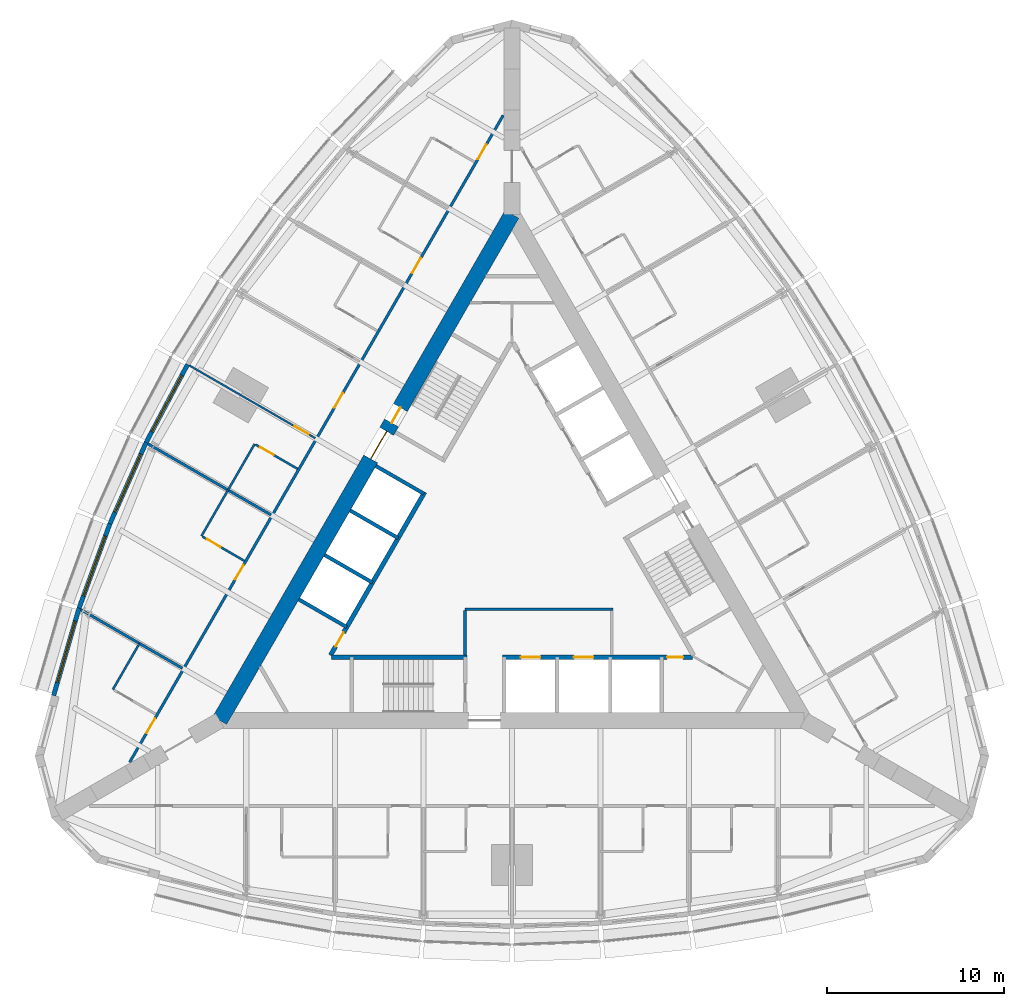
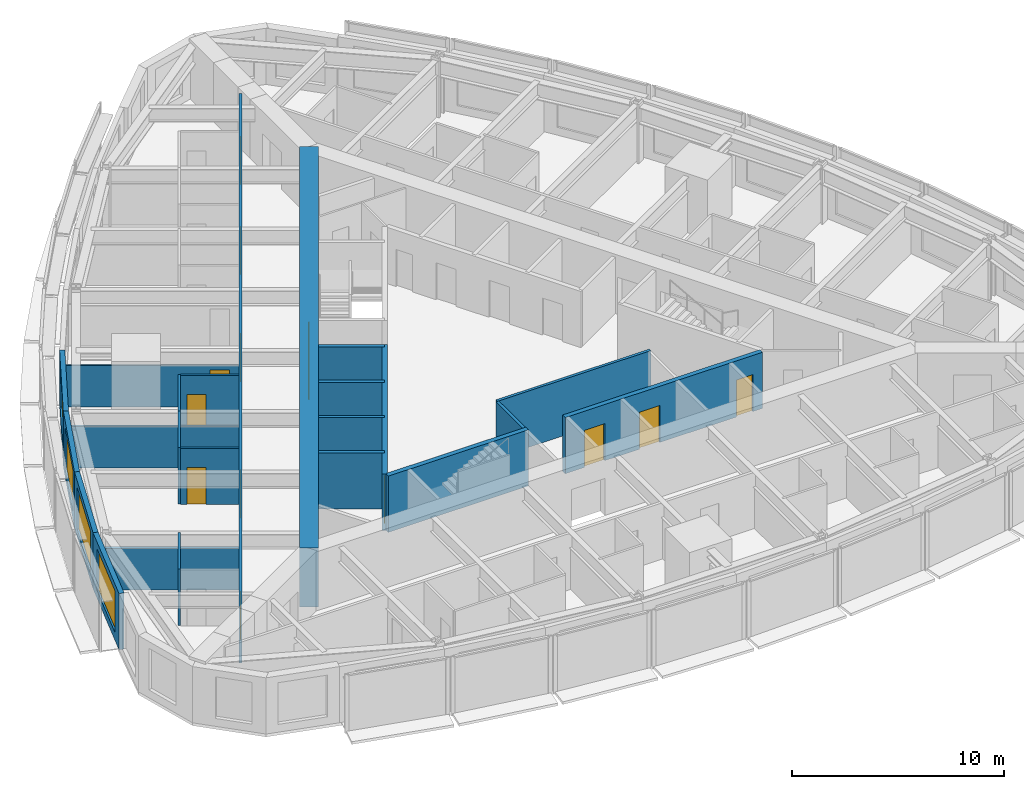
# One storey, part 9 of 14: 23 walls, 14 doors, 4 windows, 18 openings.
"""IFC4 building model written with IfcOpenShell, lengths in metres."""

from ifc_helpers import new_model, si_unit, direction, frame, frame_2d, origin, place, context, subcontext, project, spatial, rectangle, extrude, material, layer, layer_set, type_object, element, fill, save


model = new_model("IFC4")

# Units and contexts
model_context = context("Model", 3, precision=1e-05, world=origin(), true_north=direction((0.0, 1.0)))
body_context = subcontext(model_context, "Body", "Model", "MODEL_VIEW")
ifc_project = project(units=[si_unit("LENGTHUNIT", "METRE"), si_unit("AREAUNIT", "SQUARE_METRE"), si_unit("VOLUMEUNIT", "CUBIC_METRE"), si_unit("PLANEANGLEUNIT", "RADIAN"), si_unit("MASSUNIT", "GRAM", prefix="KILO")], contexts=[model_context])

# Site, building, storey
site_placement = place(None, origin())
site = spatial("IfcSite", under=ifc_project, at=site_placement, CompositionType="ELEMENT")
building_placement = place(site_placement, origin())
building = spatial("IfcBuilding", under=site, at=building_placement, Name="Trikona Tower", CompositionType="ELEMENT")
storey_placement = place(building_placement, frame((0.0, 0.0, 148.699951171875)))
storey = spatial("IfcBuildingStorey", under=building, at=storey_placement, Name="L39", CompositionType="ELEMENT", Elevation=148.699951171875)

# Wall
ifc_material_1 = material(Name="Metal stud and cement board", Category="gypsum")
ifc_layer_1 = layer(ifc_material_1, 0.1201171875)
ifc_layer_set_1 = layer_set([ifc_layer_1], Name="Bathroom wall 120")
wall_type_1 = type_object("IfcWallType", Name="Bathroom wall 120", PredefinedType="PLUMBINGWALL", material=ifc_layer_set_1)
wall_1_placement = place(storey_placement, frame((-14.53271484375, 6.0810546875, 0.0), z_axis=(0.0, 0.0, 1.0), x_axis=(-0.499990139034, -0.866031096941, 0.0)))
element("IfcWall", 1, at=wall_1_placement, inside=storey, type_object=wall_type_1, Name="Bathroom wall 3915.2", PredefinedType="PLUMBINGWALL", context=body_context, shape_type="SweptSolid", body=[
    extrude(rectangle(XDim=3.0, YDim=0.1201171875, at=frame_2d((1.5, 0.0))), origin(), (0.0, 0.0, 1.0), 3.235107421875),
])

# Wall, opening, door
wall_2_placement = place(storey_placement, frame((-12.10791015625, 4.68115234375, 0.0), z_axis=(0.0, 0.0, 1.0), x_axis=(-0.866035715982, 0.499982138324, 0.0)))
wall_2 = element("IfcWall", 2, at=wall_2_placement, inside=storey, type_object=wall_type_1, Name="Bathroom wall 3915.2", PredefinedType="PLUMBINGWALL", context=body_context, shape_type="SweptSolid", body=[
    extrude(rectangle(XDim=2.73974609375, YDim=0.1201171875, at=frame_2d((1.369873046875, 0.0))), origin(), (0.0, 0.0, 1.0), 3.235107421875),
])
opening_1_placement = place(wall_2_placement, frame((1.550048828125, 0.0, 0.0)))
opening_1 = element("IfcOpeningElement", 3, at=opening_1_placement, cuts=wall_2, Name="Opening D2", PredefinedType="OPENING", context=body_context, shape_type="SweptSolid", body=[
    extrude(rectangle(XDim=0.89990234375, YDim=2.1298828125, at=frame_2d((0.449951171875, 1.06494140625))), frame((0.0, 0.070068359375, 0.0), z_axis=(0.0, -1.0, 0.0), x_axis=(1.0, 0.0, 0.0)), (0.0, 0.0, 1.0), 0.14013671875),
])
ifc_material_2 = material(Name="Steel door frame with solid-core timber leaf", Category="steel")
door_type_1 = type_object("IfcDoorType", Name="Bathroom door 900x2130", OperationType="SLIDING_TO_LEFT", PredefinedType="DOOR", material=ifc_material_2)
door_1_placement = place(opening_1_placement, origin())
door_1 = element("IfcDoor", 4, at=door_1_placement, inside=storey, type_object=door_type_1, Name="Bathroom door 3915.2", OperationType="SLIDING_TO_LEFT", OverallHeight=2.1298828125, OverallWidth=0.89990234375, PredefinedType="DOOR", context=body_context, shape_type="SweptSolid", body=[
    extrude(rectangle(XDim=0.89990234375, YDim=2.1298828125, at=frame_2d((0.449951171875, 1.06494140625))), frame((0.0, 0.02490234375, 0.0), z_axis=(0.0, -1.0, 0.0), x_axis=(1.0, 0.0, 0.0)), (0.0, 0.0, 1.0), 0.050048828125),
])
fill(opening_1, door_1)

# Wall
wall_3_placement = place(storey_placement, frame((-16.03271484375, 3.48291015625, 0.0), z_axis=(0.0, 0.0, 1.0), x_axis=(-0.50002537861, -0.866010750942, 0.0)))
element("IfcWall", 5, at=wall_3_placement, inside=storey, type_object=wall_type_1, Name="Bathroom wall 3916", PredefinedType="PLUMBINGWALL", context=body_context, shape_type="SweptSolid", body=[
    extrude(rectangle(XDim=2.999755859375, YDim=0.1201171875, at=frame_2d((1.5, 0.0))), origin(), (0.0, 0.0, 1.0), 3.235107421875),
])

# Wall, opening, door
wall_4_placement = place(storey_placement, frame((-15.10791015625, -0.51513671875, 0.0), z_axis=(0.0, 0.0, 1.0), x_axis=(-0.865997131366, 0.500048966069, 0.0)))
wall_4 = element("IfcWall", 6, at=wall_4_placement, inside=storey, type_object=wall_type_1, Name="Bathroom wall 3916", PredefinedType="PLUMBINGWALL", context=body_context, shape_type="SweptSolid", body=[
    extrude(rectangle(XDim=2.739990234375, YDim=0.1201171875, at=frame_2d((1.3701171875, 0.0))), origin(), (0.0, 0.0, 1.0), 3.235107421875),
])
opening_2_placement = place(wall_4_placement, frame((1.550048828125, 0.0, 0.0)))
opening_2 = element("IfcOpeningElement", 7, at=opening_2_placement, cuts=wall_4, Name="Opening D2", PredefinedType="OPENING", context=body_context, shape_type="SweptSolid", body=[
    extrude(rectangle(XDim=0.89990234375, YDim=2.1298828125, at=frame_2d((0.449951171875, 1.06494140625))), frame((0.0, 0.070068359375, 0.0), z_axis=(0.0, -1.0, 0.0), x_axis=(1.0, 0.0, 0.0)), (0.0, 0.0, 1.0), 0.14013671875),
])
door_2_placement = place(opening_2_placement, origin())
door_2 = element("IfcDoor", 8, at=door_2_placement, inside=storey, type_object=door_type_1, Name="Bathroom door 3916", OperationType="SLIDING_TO_LEFT", OverallHeight=2.1298828125, OverallWidth=0.89990234375, PredefinedType="DOOR", context=body_context, shape_type="SweptSolid", body=[
    extrude(rectangle(XDim=0.89990234375, YDim=2.1298828125, at=frame_2d((0.449951171875, 1.06494140625))), frame((0.0, 0.02490234375, 0.0), z_axis=(0.0, -1.0, 0.0), x_axis=(1.0, 0.0, 0.0)), (0.0, 0.0, 1.0), 0.050048828125),
])
fill(opening_2, door_2)

# Wall
wall_5_placement = place(storey_placement, frame((-21.03271484375, -5.17724609375, 0.0), z_axis=(0.0, 0.0, 1.0), x_axis=(-0.499990139034, -0.866031096941, 0.0)))
element("IfcWall", 9, at=wall_5_placement, inside=storey, type_object=wall_type_1, Name="Bathroom wall 3917", PredefinedType="PLUMBINGWALL", context=body_context, shape_type="SweptSolid", body=[
    extrude(rectangle(XDim=3.0, YDim=0.1201171875, at=frame_2d((1.5, 0.0))), origin(), (0.0, 0.0, 1.0), 3.235107421875),
])

# Wall, openings, doors
ifc_material_3 = material(Name="Concrete f'c 10000 psi", Category="concrete")
ifc_layer_2 = layer(ifc_material_3, 0.89990234375)
ifc_layer_set_2 = layer_set([ifc_layer_2], Name="Core wall 900")
wall_type_2 = type_object("IfcWallType", Name="Core wall 900", PredefinedType="SHEAR", material=ifc_layer_set_2)
wall_6_placement = place(storey_placement, frame((0.0, 19.052490234375, 0.0), z_axis=(0.0, 0.0, 1.0), x_axis=(-0.499999749417, -0.866025548458, 0.0)))
wall_6 = element("IfcWall", 10, at=wall_6_placement, inside=storey, type_object=wall_type_2, Name="Core wall C", PredefinedType="SHEAR", context=body_context, shape_type="SweptSolid", body=[
    extrude(rectangle(XDim=33.0, YDim=0.89990234375, at=frame_2d((16.5, 0.0))), origin(), (0.0, 0.0, 1.0), 3.400146484375),
])
opening_3_placement = place(wall_6_placement, frame((14.14990234375, 0.0, 0.0)))
opening_3 = element("IfcOpeningElement", 11, at=opening_3_placement, cuts=wall_6, Name="Opening D6", PredefinedType="OPENING", context=body_context, shape_type="SweptSolid", body=[
    extrude(rectangle(XDim=1.800048828125, YDim=2.1298828125, at=frame_2d((0.89990234375, 1.06494140625))), frame((0.0, 0.4599609375, 0.0), z_axis=(0.0, -1.0, 0.0), x_axis=(1.0, 0.0, 0.0)), (0.0, 0.0, 1.0), 0.919921875),
])
opening_4_placement = place(wall_6_placement, frame((12.60009765625, 0.0, 0.0)))
opening_4 = element("IfcOpeningElement", 12, at=opening_4_placement, cuts=wall_6, Name="Opening D5", PredefinedType="OPENING", context=body_context, shape_type="SweptSolid", body=[
    extrude(rectangle(XDim=1.0, YDim=2.1298828125, at=frame_2d((0.5, 1.06494140625))), frame((0.0, 0.4599609375, 0.0), z_axis=(0.0, -1.0, 0.0), x_axis=(1.0, 0.0, 0.0)), (0.0, 0.0, 1.0), 0.919921875),
])
ifc_material_4 = material(Name="Hollow metal door and frame", Category="steel")
door_type_2 = type_object("IfcDoorType", Name="Lobby door pair 1800x2130", OperationType="DOUBLE_DOOR_SINGLE_SWING", PredefinedType="DOOR", material=ifc_material_4)
door_3_placement = place(opening_3_placement, origin())
door_3 = element("IfcDoor", 13, at=door_3_placement, inside=storey, type_object=door_type_2, Name="Lift lobby door C", OperationType="DOUBLE_DOOR_SINGLE_SWING", OverallHeight=2.1298828125, OverallWidth=1.800048828125, PredefinedType="DOOR", context=body_context, shape_type="SweptSolid", body=[
    extrude(rectangle(XDim=1.800048828125, YDim=2.1298828125, at=frame_2d((0.89990234375, 1.06494140625))), frame((0.0, 0.02490234375, 0.0), z_axis=(0.0, -1.0, 0.0), x_axis=(1.0, 0.0, 0.0)), (0.0, 0.0, 1.0), 0.050048828125),
])
fill(opening_3, door_3)
ifc_material_5 = material(Name="Hollow metal door and frame", Category="steel")
door_type_3 = type_object("IfcDoorType", Name="Stair door 1000x2130", OperationType="SINGLE_SWING_LEFT", PredefinedType="DOOR", material=ifc_material_5)
door_4_placement = place(opening_4_placement, origin())
door_4 = element("IfcDoor", 14, at=door_4_placement, inside=storey, type_object=door_type_3, Name="Stair C door", OperationType="SINGLE_SWING_RIGHT", OverallHeight=2.1298828125, OverallWidth=1.0, PredefinedType="DOOR", context=body_context, shape_type="SweptSolid", body=[
    extrude(rectangle(XDim=1.0, YDim=2.1298828125, at=frame_2d((0.5, 1.06494140625))), frame((0.0, 0.02490234375, 0.0), z_axis=(0.0, -1.0, 0.0), x_axis=(1.0, 0.0, 0.0)), (0.0, 0.0, 1.0), 0.050048828125),
])
fill(opening_4, door_4)

ifc_material_6 = material(Name="Metal stud and gypsum board, 1-hour", Category="gypsum")
ifc_layer_3 = layer(ifc_material_6, 0.14990234375)
ifc_layer_set_3 = layer_set([ifc_layer_3], Name="Corridor wall 150")
wall_type_3 = type_object("IfcWallType", Name="Corridor wall 150", PredefinedType="PARTITIONING", material=ifc_layer_set_3)
wall_7_placement = place(storey_placement, frame((-0.5, 24.636474609375, 0.0), z_axis=(0.0, 0.0, 1.0), x_axis=(-0.500001915564, -0.86602429783, 0.0)))
wall_7 = element("IfcWall", 15, at=wall_7_placement, inside=storey, type_object=wall_type_3, Name="Corridor wall L39-3", PredefinedType="PARTITIONING", context=body_context, shape_type="SweptSolid", body=[
    extrude(rectangle(XDim=42.171630859375, YDim=0.14990234375, at=frame_2d((21.0859375, 0.0))), origin(), (0.0, 0.0, 1.0), 3.235107421875),
])
opening_5_placement = place(wall_7_placement, frame((1.910888671875, 0.0, 0.0)))
opening_5 = element("IfcOpeningElement", 16, at=opening_5_placement, cuts=wall_7, Name="Opening D1", PredefinedType="OPENING", context=body_context, shape_type="SweptSolid", body=[
    extrude(rectangle(XDim=0.949951171875, YDim=2.1298828125, at=frame_2d((0.47509765625, 1.06494140625))), frame((0.0, 0.0849609375, 0.0), z_axis=(0.0, -1.0, 0.0), x_axis=(1.0, 0.0, 0.0)), (0.0, 0.0, 1.0), 0.169921875),
])
opening_6_placement = place(wall_7_placement, frame((9.310791015625, 0.0, 0.0)))
opening_6 = element("IfcOpeningElement", 17, at=opening_6_placement, cuts=wall_7, Name="Opening D1", PredefinedType="OPENING", context=body_context, shape_type="SweptSolid", body=[
    extrude(rectangle(XDim=0.949951171875, YDim=2.1298828125, at=frame_2d((0.47509765625, 1.06494140625))), frame((0.0, 0.0849609375, 0.0), z_axis=(0.0, -1.0, 0.0), x_axis=(1.0, 0.0, 0.0)), (0.0, 0.0, 1.0), 0.169921875),
])
opening_7_placement = place(wall_7_placement, frame((18.11083984375, 0.0, 0.0)))
opening_7 = element("IfcOpeningElement", 18, at=opening_7_placement, cuts=wall_7, Name="Opening D1", PredefinedType="OPENING", context=body_context, shape_type="SweptSolid", body=[
    extrude(rectangle(XDim=0.949951171875, YDim=2.1298828125, at=frame_2d((0.47509765625, 1.06494140625))), frame((0.0, 0.0849609375, 0.0), z_axis=(0.0, -1.0, 0.0), x_axis=(1.0, 0.0, 0.0)), (0.0, 0.0, 1.0), 0.169921875),
])
opening_8_placement = place(wall_7_placement, frame((29.310791015625, 0.0, 0.0)))
opening_8 = element("IfcOpeningElement", 19, at=opening_8_placement, cuts=wall_7, Name="Opening D1", PredefinedType="OPENING", context=body_context, shape_type="SweptSolid", body=[
    extrude(rectangle(XDim=0.949951171875, YDim=2.1298828125, at=frame_2d((0.47509765625, 1.06494140625))), frame((0.0, 0.0849609375, 0.0), z_axis=(0.0, -1.0, 0.0), x_axis=(1.0, 0.0, 0.0)), (0.0, 0.0, 1.0), 0.169921875),
])
opening_9_placement = place(wall_7_placement, frame((39.310791015625, 0.0, 0.0)))
opening_9 = element("IfcOpeningElement", 20, at=opening_9_placement, cuts=wall_7, Name="Opening D1", PredefinedType="OPENING", context=body_context, shape_type="SweptSolid", body=[
    extrude(rectangle(XDim=0.949951171875, YDim=2.1298828125, at=frame_2d((0.47509765625, 1.06494140625))), frame((0.0, 0.0849609375, 0.0), z_axis=(0.0, -1.0, 0.0), x_axis=(1.0, 0.0, 0.0)), (0.0, 0.0, 1.0), 0.169921875),
])
ifc_material_7 = material(Name="Steel door frame with solid-core timber leaf", Category="steel")
door_type_4 = type_object("IfcDoorType", Name="Guest room door 950x2130", OperationType="SINGLE_SWING_LEFT", PredefinedType="DOOR", material=ifc_material_7)
door_5_placement = place(opening_5_placement, origin())
door_5 = element("IfcDoor", 21, at=door_5_placement, inside=storey, type_object=door_type_4, Name="Room door 3913", OperationType="SINGLE_SWING_LEFT", OverallHeight=2.1298828125, OverallWidth=0.949951171875, PredefinedType="DOOR", context=body_context, shape_type="SweptSolid", body=[
    extrude(rectangle(XDim=0.949951171875, YDim=2.1298828125, at=frame_2d((0.47509765625, 1.06494140625))), frame((0.0, 0.02490234375, 0.0), z_axis=(0.0, -1.0, 0.0), x_axis=(1.0, 0.0, 0.0)), (0.0, 0.0, 1.0), 0.050048828125),
])
fill(opening_5, door_5)
door_6_placement = place(opening_6_placement, origin())
door_6 = element("IfcDoor", 22, at=door_6_placement, inside=storey, type_object=door_type_4, Name="Room door 3914", OperationType="SINGLE_SWING_RIGHT", OverallHeight=2.1298828125, OverallWidth=0.949951171875, PredefinedType="DOOR", context=body_context, shape_type="SweptSolid", body=[
    extrude(rectangle(XDim=0.949951171875, YDim=2.1298828125, at=frame_2d((0.47509765625, 1.06494140625))), frame((0.0, 0.02490234375, 0.0), z_axis=(0.0, -1.0, 0.0), x_axis=(1.0, 0.0, 0.0)), (0.0, 0.0, 1.0), 0.050048828125),
])
fill(opening_6, door_6)
door_7_placement = place(opening_7_placement, origin())
door_7 = element("IfcDoor", 23, at=door_7_placement, inside=storey, type_object=door_type_4, Name="Room door 3915", OperationType="SINGLE_SWING_LEFT", OverallHeight=2.1298828125, OverallWidth=0.949951171875, PredefinedType="DOOR", context=body_context, shape_type="SweptSolid", body=[
    extrude(rectangle(XDim=0.949951171875, YDim=2.1298828125, at=frame_2d((0.47509765625, 1.06494140625))), frame((0.0, 0.02490234375, 0.0), z_axis=(0.0, -1.0, 0.0), x_axis=(1.0, 0.0, 0.0)), (0.0, 0.0, 1.0), 0.050048828125),
])
fill(opening_7, door_7)
door_8_placement = place(opening_8_placement, origin())
door_8 = element("IfcDoor", 24, at=door_8_placement, inside=storey, type_object=door_type_4, Name="Room door 3916", OperationType="SINGLE_SWING_RIGHT", OverallHeight=2.1298828125, OverallWidth=0.949951171875, PredefinedType="DOOR", context=body_context, shape_type="SweptSolid", body=[
    extrude(rectangle(XDim=0.949951171875, YDim=2.1298828125, at=frame_2d((0.47509765625, 1.06494140625))), frame((0.0, 0.02490234375, 0.0), z_axis=(0.0, -1.0, 0.0), x_axis=(1.0, 0.0, 0.0)), (0.0, 0.0, 1.0), 0.050048828125),
])
fill(opening_8, door_8)
door_9_placement = place(opening_9_placement, origin())
door_9 = element("IfcDoor", 25, at=door_9_placement, inside=storey, type_object=door_type_4, Name="Room door 3917", OperationType="SINGLE_SWING_RIGHT", OverallHeight=2.1298828125, OverallWidth=0.949951171875, PredefinedType="DOOR", context=body_context, shape_type="SweptSolid", body=[
    extrude(rectangle(XDim=0.949951171875, YDim=2.1298828125, at=frame_2d((0.47509765625, 1.06494140625))), frame((0.0, 0.02490234375, 0.0), z_axis=(0.0, -1.0, 0.0), x_axis=(1.0, 0.0, 0.0)), (0.0, 0.0, 1.0), 0.050048828125),
])
fill(opening_9, door_9)

# Wall
ifc_material_8 = material(Name="Concrete f'c 8000 psi", Category="concrete")
ifc_layer_4 = layer(ifc_material_8, 0.25)
ifc_layer_set_4 = layer_set([ifc_layer_4], Name="Hub wall 250")
wall_type_4 = type_object("IfcWallType", Name="Hub wall 250", PredefinedType="SOLIDWALL", material=ifc_layer_set_4)
wall_8_placement = place(storey_placement, frame((-10.182861328125, -5.951416015625, 0.0), z_axis=(0.0, 0.0, 1.0), x_axis=(1.0, 0.0, 0.0)))
element("IfcWall", 26, at=wall_8_placement, inside=storey, type_object=wall_type_4, Name="Lift lobby wall A1", PredefinedType="SOLIDWALL", context=body_context, shape_type="SweptSolid", body=[
    extrude(rectangle(XDim=7.6328125, YDim=0.25, at=frame_2d((3.81640625, 0.0))), origin(), (0.0, 0.0, 1.0), 3.235107421875),
])

# Wall, openings, doors
wall_9_placement = place(storey_placement, frame((-0.550048828125, -5.951416015625, 0.0), z_axis=(0.0, 0.0, 1.0), x_axis=(1.0, 0.0, 0.0)))
wall_9 = element("IfcWall", 27, at=wall_9_placement, inside=storey, type_object=wall_type_4, Name="Lift lobby wall A2", PredefinedType="SOLIDWALL", context=body_context, shape_type="SweptSolid", body=[
    extrude(rectangle(XDim=10.73291015625, YDim=0.25, at=frame_2d((5.366455078125, 0.0))), origin(), (0.0, 0.0, 1.0), 3.235107421875),
])
opening_10_placement = place(wall_9_placement, frame((9.31396484375, 0.0, 0.0)))
opening_10 = element("IfcOpeningElement", 28, at=opening_10_placement, cuts=wall_9, Name="Opening D14", PredefinedType="OPENING", context=body_context, shape_type="SweptSolid", body=[
    extrude(rectangle(XDim=0.89990234375, YDim=2.1298828125, at=frame_2d((0.449951171875, 1.06494140625))), frame((0.0, 0.135009765625, 0.0), z_axis=(0.0, -1.0, 0.0), x_axis=(1.0, 0.0, 0.0)), (0.0, 0.0, 1.0), 0.27001953125),
])
opening_11_placement = place(wall_9_placement, frame((1.050048828125, 0.0, 0.0)))
opening_11 = element("IfcOpeningElement", 29, at=opening_11_placement, cuts=wall_9, Name="Opening LD", PredefinedType="OPENING", context=body_context, shape_type="SweptSolid", body=[
    extrude(rectangle(XDim=1.10009765625, YDim=2.1298828125, at=frame_2d((0.550048828125, 1.06494140625))), frame((0.0, 0.135009765625, 0.0), z_axis=(0.0, -1.0, 0.0), x_axis=(1.0, 0.0, 0.0)), (0.0, 0.0, 1.0), 0.27001953125),
])
opening_12_placement = place(wall_9_placement, frame((4.050048828125, 0.0, 0.0)))
opening_12 = element("IfcOpeningElement", 30, at=opening_12_placement, cuts=wall_9, Name="Opening LD", PredefinedType="OPENING", context=body_context, shape_type="SweptSolid", body=[
    extrude(rectangle(XDim=1.10009765625, YDim=2.1298828125, at=frame_2d((0.550048828125, 1.06494140625))), frame((0.0, 0.135009765625, 0.0), z_axis=(0.0, -1.0, 0.0), x_axis=(1.0, 0.0, 0.0)), (0.0, 0.0, 1.0), 0.27001953125),
])
ifc_material_9 = material(Name="Stainless steel lift landing door", Category="steel")
door_type_5 = type_object("IfcDoorType", Name="Lift landing door 1100x2130", OperationType="DOUBLE_DOOR_SLIDING", PredefinedType="USERDEFINED", material=ifc_material_9)
door_10_placement = place(opening_11_placement, origin())
door_10 = element("IfcDoor", 31, at=door_10_placement, inside=storey, type_object=door_type_5, Name="Lift landing door FF1", ObjectType="LIFT LANDING DOOR", OperationType="DOUBLE_DOOR_SLIDING", OverallHeight=2.1298828125, OverallWidth=1.10009765625, PredefinedType="USERDEFINED", context=body_context, shape_type="SweptSolid", body=[
    extrude(rectangle(XDim=1.10009765625, YDim=2.1298828125, at=frame_2d((0.550048828125, 1.06494140625))), frame((0.0, 0.02490234375, 0.0), z_axis=(0.0, -1.0, 0.0), x_axis=(1.0, 0.0, 0.0)), (0.0, 0.0, 1.0), 0.050048828125),
])
fill(opening_11, door_10)
door_11_placement = place(opening_12_placement, origin())
door_11 = element("IfcDoor", 32, at=door_11_placement, inside=storey, type_object=door_type_5, Name="Lift landing door FF2", ObjectType="LIFT LANDING DOOR", OperationType="DOUBLE_DOOR_SLIDING", OverallHeight=2.1298828125, OverallWidth=1.10009765625, PredefinedType="USERDEFINED", context=body_context, shape_type="SweptSolid", body=[
    extrude(rectangle(XDim=1.10009765625, YDim=2.1298828125, at=frame_2d((0.550048828125, 1.06494140625))), frame((0.0, 0.02490234375, 0.0), z_axis=(0.0, -1.0, 0.0), x_axis=(1.0, 0.0, 0.0)), (0.0, 0.0, 1.0), 0.050048828125),
])
fill(opening_12, door_11)
ifc_material_10 = material(Name="Hollow metal door and frame", Category="steel")
door_type_6 = type_object("IfcDoorType", Name="Service room door 900x2130", OperationType="SINGLE_SWING_LEFT", PredefinedType="DOOR", material=ifc_material_10)
door_12_placement = place(opening_10_placement, origin())
door_12 = element("IfcDoor", 33, at=door_12_placement, inside=storey, type_object=door_type_6, Name="Door Housekeeping store HKS", OperationType="SINGLE_SWING_RIGHT", OverallHeight=2.1298828125, OverallWidth=0.89990234375, PredefinedType="DOOR", context=body_context, shape_type="SweptSolid", body=[
    extrude(rectangle(XDim=0.89990234375, YDim=2.1298828125, at=frame_2d((0.449951171875, 1.06494140625))), frame((0.0, 0.02490234375, 0.0), z_axis=(0.0, -1.0, 0.0), x_axis=(1.0, 0.0, 0.0)), (0.0, 0.0, 1.0), 0.050048828125),
])
fill(opening_10, door_12)

# Wall, opening, door
wall_10_placement = place(storey_placement, frame((-4.928955078125, 3.365478515625, 0.0), z_axis=(0.0, 0.0, 1.0), x_axis=(-0.499991433582, -0.866030349552, 0.0)))
wall_10 = element("IfcWall", 34, at=wall_10_placement, inside=storey, type_object=wall_type_4, Name="Lift lobby wall C2", PredefinedType="SOLIDWALL", context=body_context, shape_type="SweptSolid", body=[
    extrude(rectangle(XDim=10.633056640625, YDim=0.25, at=frame_2d((5.31640625, 0.0))), origin(), (0.0, 0.0, 1.0), 3.235107421875),
])
opening_13_placement = place(wall_10_placement, frame((9.1640625, 0.0, 0.0)))
opening_13 = element("IfcOpeningElement", 35, at=opening_13_placement, cuts=wall_10, Name="Opening D14", PredefinedType="OPENING", context=body_context, shape_type="SweptSolid", body=[
    extrude(rectangle(XDim=0.89990234375, YDim=2.1298828125, at=frame_2d((0.449951171875, 1.06494140625))), frame((0.0, 0.135009765625, 0.0), z_axis=(0.0, -1.0, 0.0), x_axis=(1.0, 0.0, 0.0)), (0.0, 0.0, 1.0), 0.27001953125),
])
door_13_placement = place(opening_13_placement, origin())
door_13 = element("IfcDoor", 36, at=door_13_placement, inside=storey, type_object=door_type_6, Name="Door Ice and vending ICE", OperationType="SINGLE_SWING_RIGHT", OverallHeight=2.1298828125, OverallWidth=0.89990234375, PredefinedType="DOOR", context=body_context, shape_type="SweptSolid", body=[
    extrude(rectangle(XDim=0.89990234375, YDim=2.1298828125, at=frame_2d((0.449951171875, 1.06494140625))), frame((0.0, 0.02490234375, 0.0), z_axis=(0.0, -1.0, 0.0), x_axis=(1.0, 0.0, 0.0)), (0.0, 0.0, 1.0), 0.050048828125),
])
fill(opening_13, door_13)

# Wall, opening, window
ifc_material_11 = material(Name="Insulated precast concrete spandrel panel", Category="concrete")
ifc_layer_5 = layer(ifc_material_11, 0.25)
ifc_layer_set_5 = layer_set([ifc_layer_5], Name="Inner skin wall 250")
wall_type_5 = type_object("IfcWallType", Name="Inner skin wall 250", PredefinedType="STANDARD", material=ifc_layer_set_5)
wall_11_placement = place(storey_placement, frame((-18.314453125, 10.578857421875, 0.0), z_axis=(0.0, 0.0, 1.0), x_axis=(-0.469404966864, -0.882982999317, 0.0)))
wall_11 = element("IfcWall", 37, at=wall_11_placement, inside=storey, type_object=wall_type_5, Name="External wall L39-28", PredefinedType="STANDARD", context=body_context, shape_type="SweptSolid", body=[
    extrude(rectangle(XDim=5.0029296875, YDim=0.25, at=frame_2d((2.50146484375, 0.0))), origin(), (0.0, 0.0, 1.0), 3.235107421875),
])
opening_14_placement = place(wall_11_placement, frame((0.701416015625, 0.0, 0.449951171875)))
opening_14 = element("IfcOpeningElement", 38, at=opening_14_placement, cuts=wall_11, Name="Opening W3624", PredefinedType="OPENING", context=body_context, shape_type="SweptSolid", body=[
    extrude(rectangle(XDim=3.60009765625, YDim=2.39990234375, at=frame_2d((1.800048828125, 1.199951171875))), frame((0.0, 0.135009765625, 0.0), z_axis=(0.0, -1.0, 0.0), x_axis=(1.0, 0.0, 0.0)), (0.0, 0.0, 1.0), 0.27001953125),
])
ifc_material_12 = material(Name="Aluminium-framed double glazing", Category="aluminium")
window_type = type_object("IfcWindowType", Name="Window 3600x2400", PartitioningType="SINGLE_PANEL", PredefinedType="WINDOW", material=ifc_material_12)
window_1_placement = place(opening_14_placement, origin())
window_1 = element("IfcWindow", 39, at=window_1_placement, inside=storey, type_object=window_type, Name="Window 3915.2", OverallHeight=2.39990234375, OverallWidth=3.60009765625, PartitioningType="SINGLE_PANEL", PredefinedType="WINDOW", context=body_context, shape_type="SweptSolid", body=[
    extrude(rectangle(XDim=3.60009765625, YDim=2.39990234375, at=frame_2d((1.800048828125, 1.199951171875))), frame((0.0, 0.030029296875, 0.0), z_axis=(0.0, -1.0, 0.0), x_axis=(1.0, 0.0, 0.0)), (0.0, 0.0, 1.0), 0.06005859375),
])
fill(opening_14, window_1)

wall_12_placement = place(storey_placement, frame((-20.6591796875, 6.169189453125, 0.0), z_axis=(0.0, 0.0, 1.0), x_axis=(-0.406832200364, -0.913502906808, 0.0)))
wall_12 = element("IfcWall", 40, at=wall_12_placement, inside=storey, type_object=wall_type_5, Name="External wall L39-29", PredefinedType="STANDARD", context=body_context, shape_type="SweptSolid", body=[
    extrude(rectangle(XDim=5.027587890625, YDim=0.25, at=frame_2d((2.513671875, 0.0))), origin(), (0.0, 0.0, 1.0), 3.235107421875),
])
opening_15_placement = place(wall_12_placement, frame((0.713623046875, 0.0, 0.449951171875)))
opening_15 = element("IfcOpeningElement", 41, at=opening_15_placement, cuts=wall_12, Name="Opening W3624", PredefinedType="OPENING", context=body_context, shape_type="SweptSolid", body=[
    extrude(rectangle(XDim=3.60009765625, YDim=2.39990234375, at=frame_2d((1.800048828125, 1.199951171875))), frame((0.0, 0.135009765625, 0.0), z_axis=(0.0, -1.0, 0.0), x_axis=(1.0, 0.0, 0.0)), (0.0, 0.0, 1.0), 0.27001953125),
])
window_2_placement = place(opening_15_placement, origin())
window_2 = element("IfcWindow", 42, at=window_2_placement, inside=storey, type_object=window_type, Name="Window 3916", OverallHeight=2.39990234375, OverallWidth=3.60009765625, PartitioningType="SINGLE_PANEL", PredefinedType="WINDOW", context=body_context, shape_type="SweptSolid", body=[
    extrude(rectangle(XDim=3.60009765625, YDim=2.39990234375, at=frame_2d((1.800048828125, 1.199951171875))), frame((0.0, 0.030029296875, 0.0), z_axis=(0.0, -1.0, 0.0), x_axis=(1.0, 0.0, 0.0)), (0.0, 0.0, 1.0), 0.06005859375),
])
fill(opening_15, window_2)

wall_13_placement = place(storey_placement, frame((-22.701416015625, 1.58447265625, 0.0), z_axis=(0.0, 0.0, 1.0), x_axis=(-0.343225593282, -0.939252996863, 0.0)))
wall_13 = element("IfcWall", 43, at=wall_13_placement, inside=storey, type_object=wall_type_5, Name="External wall L39-30", PredefinedType="STANDARD", context=body_context, shape_type="SweptSolid", body=[
    extrude(rectangle(XDim=5.075927734375, YDim=0.25, at=frame_2d((2.5380859375, 0.0))), origin(), (0.0, 0.0, 1.0), 3.235107421875),
])
opening_16_placement = place(wall_13_placement, frame((0.738037109375, 0.0, 0.449951171875)))
opening_16 = element("IfcOpeningElement", 44, at=opening_16_placement, cuts=wall_13, Name="Opening W3624", PredefinedType="OPENING", context=body_context, shape_type="SweptSolid", body=[
    extrude(rectangle(XDim=3.60009765625, YDim=2.39990234375, at=frame_2d((1.800048828125, 1.199951171875))), frame((0.0, 0.135009765625, 0.0), z_axis=(0.0, -1.0, 0.0), x_axis=(1.0, 0.0, 0.0)), (0.0, 0.0, 1.0), 0.27001953125),
])
window_3_placement = place(opening_16_placement, origin())
window_3 = element("IfcWindow", 45, at=window_3_placement, inside=storey, type_object=window_type, Name="Window 3916", OverallHeight=2.39990234375, OverallWidth=3.60009765625, PartitioningType="SINGLE_PANEL", PredefinedType="WINDOW", context=body_context, shape_type="SweptSolid", body=[
    extrude(rectangle(XDim=3.60009765625, YDim=2.39990234375, at=frame_2d((1.800048828125, 1.199951171875))), frame((0.0, 0.030029296875, 0.0), z_axis=(0.0, -1.0, 0.0), x_axis=(1.0, 0.0, 0.0)), (0.0, 0.0, 1.0), 0.06005859375),
])
fill(opening_16, window_3)

wall_14_placement = place(storey_placement, frame((-24.44091796875, -3.17529296875, 0.0), z_axis=(0.0, 0.0, 1.0), x_axis=(-0.279528287117, -0.960137457191, 0.0)))
wall_14 = element("IfcWall", 46, at=wall_14_placement, inside=storey, type_object=wall_type_5, Name="External wall L39-31", PredefinedType="STANDARD", context=body_context, shape_type="SweptSolid", body=[
    extrude(rectangle(XDim=5.14794921875, YDim=0.25, at=frame_2d((2.573974609375, 0.0))), origin(), (0.0, 0.0, 1.0), 3.235107421875),
])
opening_17_placement = place(wall_14_placement, frame((0.77392578125, 0.0, 0.449951171875)))
opening_17 = element("IfcOpeningElement", 47, at=opening_17_placement, cuts=wall_14, Name="Opening W3624", PredefinedType="OPENING", context=body_context, shape_type="SweptSolid", body=[
    extrude(rectangle(XDim=3.60009765625, YDim=2.39990234375, at=frame_2d((1.800048828125, 1.199951171875))), frame((0.0, 0.135009765625, 0.0), z_axis=(0.0, -1.0, 0.0), x_axis=(1.0, 0.0, 0.0)), (0.0, 0.0, 1.0), 0.27001953125),
])
window_4_placement = place(opening_17_placement, origin())
window_4 = element("IfcWindow", 48, at=window_4_placement, inside=storey, type_object=window_type, Name="Window 3917", OverallHeight=2.39990234375, OverallWidth=3.60009765625, PartitioningType="SINGLE_PANEL", PredefinedType="WINDOW", context=body_context, shape_type="SweptSolid", body=[
    extrude(rectangle(XDim=3.60009765625, YDim=2.39990234375, at=frame_2d((1.800048828125, 1.199951171875))), frame((0.0, 0.030029296875, 0.0), z_axis=(0.0, -1.0, 0.0), x_axis=(1.0, 0.0, 0.0)), (0.0, 0.0, 1.0), 0.06005859375),
])
fill(opening_17, window_4)

# Walls
ifc_material_13 = material(Name="Metal stud and gypsum board, 2-hour shaft wall", Category="gypsum")
ifc_layer_6 = layer(ifc_material_13, 0.14990234375)
ifc_layer_set_6 = layer_set([ifc_layer_6], Name="Lobby wall 150")
wall_type_6 = type_object("IfcWallType", Name="Lobby wall 150", PredefinedType="PARTITIONING", material=ifc_layer_set_6)
wall_15_placement = place(storey_placement, frame((-2.64990234375, -3.251220703125, 0.0), z_axis=(0.0, 0.0, 1.0), x_axis=(1.0, 0.0, 0.0)))
element("IfcWall", 49, at=wall_15_placement, inside=storey, type_object=wall_type_6, Name="Fire service lift lobby wall 1", PredefinedType="PARTITIONING", context=body_context, shape_type="SweptSolid", body=[
    extrude(rectangle(XDim=8.349853515625, YDim=0.14990234375, at=frame_2d((4.1748046875, 0.0))), origin(), (0.0, 0.0, 1.0), 3.235107421875),
])
wall_16_placement = place(storey_placement, frame((-2.64990234375, -5.826416015625, 0.0), z_axis=(0.0, 0.0, 1.0), x_axis=(0.0, 1.0, 0.0)))
element("IfcWall", 50, at=wall_16_placement, inside=storey, type_object=wall_type_6, Name="Fire service lift lobby wall 2", PredefinedType="PARTITIONING", context=body_context, shape_type="SweptSolid", body=[
    extrude(rectangle(XDim=2.5, YDim=0.14990234375, at=frame_2d((1.25, 0.0))), origin(), (0.0, 0.0, 1.0), 3.235107421875),
])
ifc_material_14 = material(Name="Metal stud and gypsum board, 1-hour acoustic", Category="gypsum")
ifc_layer_7 = layer(ifc_material_14, 0.14990234375)
ifc_layer_set_7 = layer_set([ifc_layer_7], Name="Party wall 150")
wall_type_7 = type_object("IfcWallType", Name="Party wall 150", PredefinedType="PARTITIONING", material=ifc_layer_set_7)
wall_17_placement = place(storey_placement, frame((-13.60791015625, 2.0830078125, 0.0), z_axis=(0.0, 0.0, 1.0), x_axis=(-0.866028486751, 0.499994660107, 0.0)))
element("IfcWall", 51, at=wall_17_placement, inside=storey, type_object=wall_type_7, Name="Partition L39 F3 u5", PredefinedType="PARTITIONING", context=body_context, shape_type="SweptSolid", body=[
    extrude(rectangle(XDim=8.0224609375, YDim=0.14990234375, at=frame_2d((4.01123046875, 0.0))), origin(), (0.0, 0.0, 1.0), 2.38916015625),
])
wall_18_placement = place(storey_placement, frame((-18.60791015625, -6.5771484375, 0.0), z_axis=(0.0, 0.0, 1.0), x_axis=(-0.866031967744, 0.499988630717, 0.0)))
element("IfcWall", 52, at=wall_18_placement, inside=storey, type_object=wall_type_7, Name="Partition L39 F3 u15", PredefinedType="PARTITIONING", context=body_context, shape_type="SweptSolid", body=[
    extrude(rectangle(XDim=6.616455078125, YDim=0.14990234375, at=frame_2d((3.30810546875, 0.0))), origin(), (0.0, 0.0, 1.0), 2.38916015625),
])
ifc_material_15 = material(Name="Concrete f'c 8000 psi", Category="concrete")
ifc_layer_8 = layer(ifc_material_15, 0.199951171875)
ifc_layer_set_8 = layer_set([ifc_layer_8], Name="Shaft wall 200")
wall_type_8 = type_object("IfcWallType", Name="Shaft wall 200", PredefinedType="SOLIDWALL", material=ifc_layer_set_8)
for number, where, z_axis, x_axis, name in (
    (53, (-4.97900390625, 3.27880859375, 0.0), (0.0, 0.0, 1.0), (-0.866022959057, 0.500004234368, 0.0), "Shaft wall C3"),
    (54, (-6.428955078125, 0.767333984375, 0.0), (0.0, 0.0, 1.0), (-0.866022959057, 0.500004234368, 0.0), "Shaft wall C4"),
    (55, (-7.87890625, -1.744140625, 0.0), (0.0, 0.0, 1.0), (-0.866022959057, 0.500004234368, 0.0), "Shaft wall C5"),
    (56, (-9.3291015625, -4.255615234375, 0.0), (0.0, 0.0, 1.0), (-0.866022959057, 0.500004234368, 0.0), "Shaft wall C6"),
):
    element("IfcWall", number, at=place(storey_placement, frame(where, z_axis=z_axis, x_axis=x_axis)), inside=storey, type_object=wall_type_8, Name=name, PredefinedType="SOLIDWALL", context=body_context, shape_type="SweptSolid", body=[
        extrude(rectangle(XDim=3.125, YDim=0.199951171875, at=frame_2d((1.5625, 0.0))), origin(), (0.0, 0.0, 1.0), 3.235107421875),
    ])

# Wall, opening, door
ifc_material_16 = material(Name="Metal stud and gypsum board, acoustic", Category="gypsum")
ifc_layer_9 = layer(ifc_material_16, 0.10009765625)
ifc_layer_set_9 = layer_set([ifc_layer_9], Name="Suite partition 100")
wall_type_9 = type_object("IfcWallType", Name="Suite partition 100", PredefinedType="PARTITIONING", material=ifc_layer_set_9)
wall_19_placement = place(storey_placement, frame((-11.10791015625, 6.4130859375, 0.0), z_axis=(0.0, 0.0, 1.0), x_axis=(-0.866026407964, 0.499998260706, 0.0)))
wall_19 = element("IfcWall", 57, at=wall_19_placement, inside=storey, type_object=wall_type_9, Name="Suite partition L39 F3 u0", PredefinedType="PARTITIONING", context=body_context, shape_type="SweptSolid", body=[
    extrude(rectangle(XDim=8.19873046875, YDim=0.10009765625, at=frame_2d((4.099365234375, 0.0))), origin(), (0.0, 0.0, 1.0), 2.38916015625),
])
opening_18_placement = place(wall_19_placement, frame((0.449951171875, 0.0, 0.0)))
opening_18 = element("IfcOpeningElement", 58, at=opening_18_placement, cuts=wall_19, Name="Opening D13", PredefinedType="OPENING", context=body_context, shape_type="SweptSolid", body=[
    extrude(rectangle(XDim=0.89990234375, YDim=2.1298828125, at=frame_2d((0.449951171875, 1.06494140625))), frame((0.0, 0.06005859375, 0.0), z_axis=(0.0, -1.0, 0.0), x_axis=(1.0, 0.0, 0.0)), (0.0, 0.0, 1.0), 0.1201171875),
])
ifc_material_17 = material(Name="Steel door frame with solid-core timber leaf", Category="steel")
door_type_7 = type_object("IfcDoorType", Name="Suite door 900x2130", OperationType="SINGLE_SWING_LEFT", PredefinedType="DOOR", material=ifc_material_17)
door_14_placement = place(opening_18_placement, origin())
door_14 = element("IfcDoor", 59, at=door_14_placement, inside=storey, type_object=door_type_7, Name="Suite door 3915", OperationType="SINGLE_SWING_LEFT", OverallHeight=2.1298828125, OverallWidth=0.89990234375, PredefinedType="DOOR", context=body_context, shape_type="SweptSolid", body=[
    extrude(rectangle(XDim=0.89990234375, YDim=2.1298828125, at=frame_2d((0.449951171875, 1.06494140625))), frame((0.0, 0.02490234375, 0.0), z_axis=(0.0, -1.0, 0.0), x_axis=(1.0, 0.0, 0.0)), (0.0, 0.0, 1.0), 0.050048828125),
])
fill(opening_18, door_14)

save(model, "model.ifc")
